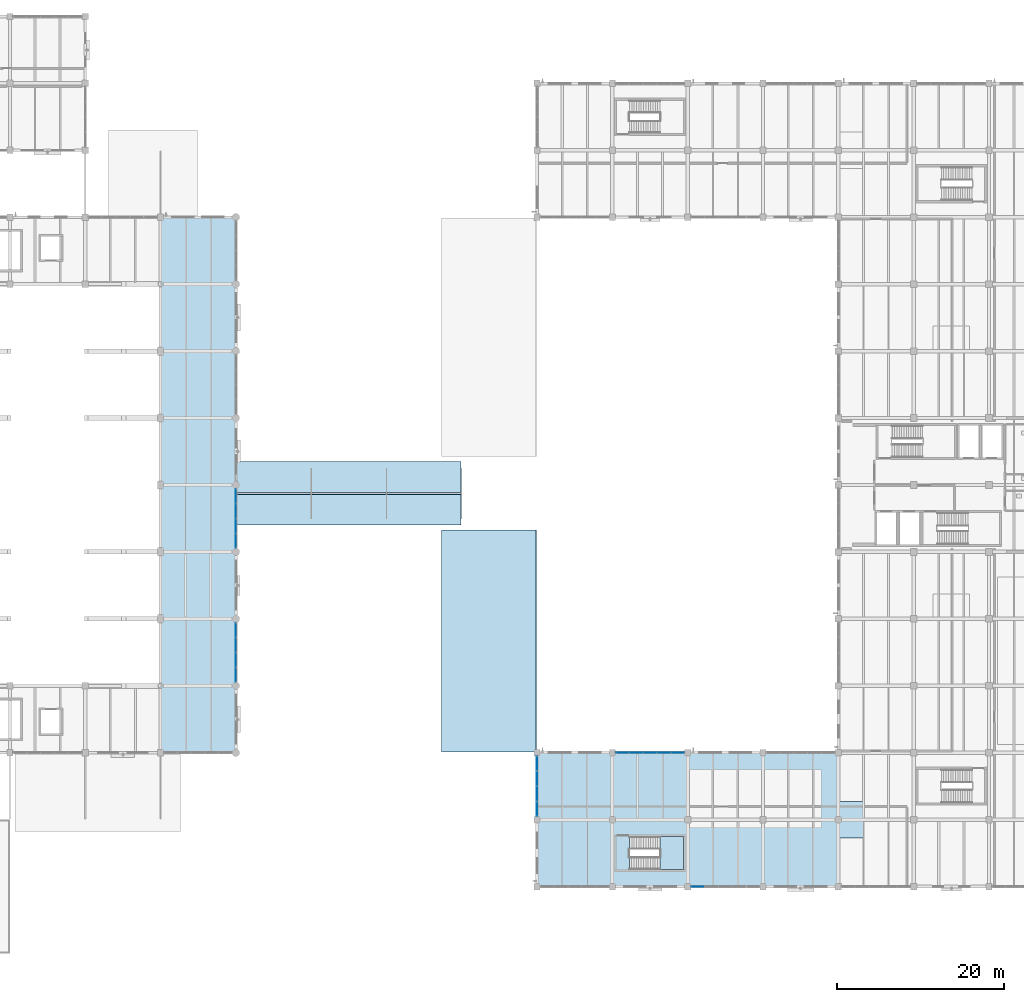
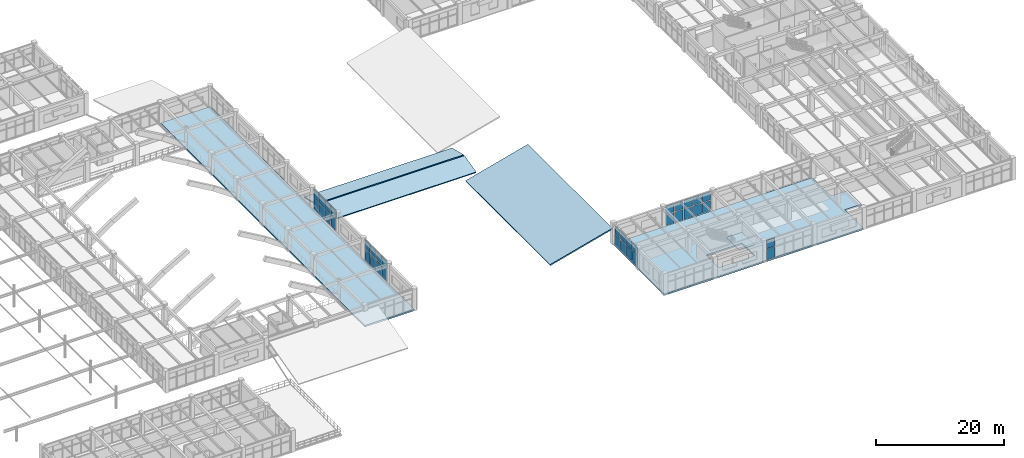
# One storey, part 117 of 148: 36 plates, 6 slabs, 8 elements without a shape of their own.
"""IFC4 building model written with IfcOpenShell, lengths in metres."""

from ifc_helpers import new_model, si_unit, derived_unit, direction, frame, origin, origin_2d, place, context, subcontext, project, spatial, polyline, rectangle, outline, extrude, material, layer, layer_set, type_object, element, aggregate, save


model = new_model("IFC4")

# Units and contexts
model_context = context("Model", 3, precision=1e-05, world=origin(), true_north=direction((0.0, 1.0)))
body_context = subcontext(model_context, "Body", "Model", "MODEL_VIEW")
ifc_project = project(units=[si_unit("LENGTHUNIT", "METRE"), si_unit("AREAUNIT", "SQUARE_METRE"), si_unit("VOLUMEUNIT", "CUBIC_METRE"), si_unit("PLANEANGLEUNIT", "RADIAN"), si_unit("MASSUNIT", "GRAM", prefix="KILO"), derived_unit("THERMALTRANSMITTANCEUNIT", [(si_unit("MASSUNIT", "GRAM", prefix="KILO"), 1), (si_unit("TIMEUNIT", "SECOND"), -3), (si_unit("THERMODYNAMICTEMPERATUREUNIT", "KELVIN"), -1)])], contexts=[model_context])

# Site, building, storey
site_placement = place(None, origin())
site = spatial("IfcSite", under=ifc_project, at=site_placement, CompositionType="ELEMENT")
building_placement = place(site_placement, origin())
building = spatial("IfcBuilding", under=site, at=building_placement, Name="Zhenchuan Archway Interchange", CompositionType="ELEMENT")
storey_placement = place(building_placement, frame((0.0, 0.0, 10.199951171875)))
storey = spatial("IfcBuildingStorey", under=building, at=storey_placement, Name="L02", CompositionType="ELEMENT", Elevation=10.199951171875)

# Curtain wall, plate
ifc_material_1 = material(Name="Anodised Aluminium", Category="aluminium")
curtain_wall_type_1 = type_object("IfcCurtainWallType", Name="CW_UNIT_3", PredefinedType="NOTDEFINED", material=ifc_material_1)
curtain_wall_1_placement = place(storey_placement, origin())
curtain_wall_1 = element("IfcCurtainWall", 1, at=curtain_wall_1_placement, inside=storey, type_object=curtain_wall_type_1, Name="Unitised curtain wall CW:L02:158", PredefinedType="NOTDEFINED")
ifc_material_2 = material(Name="Double Low-E Insulated Glazing", Category="glass")
ifc_layer_1 = layer(ifc_material_2, 0.028076171875)
ifc_layer_set_1 = layer_set([ifc_layer_1], Name="Double Low-E Insulated Glazing")
plate_type_1 = type_object("IfcPlateType", Name="CW_GLZ_1", PredefinedType="CURTAIN_PANEL", material=ifc_layer_set_1)
plate_1_placement = place(storey_placement, frame((127.184326171875, 8.0, 0.080078125), z_axis=(0.0, 0.0, 1.0), x_axis=(-1.0, 0.0, 0.0)))
plate_1 = element("IfcPlate", 2, at=plate_1_placement, type_object=plate_type_1, Name="CW:L02:158 lower glazing panel 4", PredefinedType="CURTAIN_PANEL", context=body_context, shape_type="SweptSolid", body=[
    extrude(rectangle(XDim=1.502685546875, YDim=0.028076171875, at=origin_2d()), origin(), (0.0, 0.0, 1.0), 2.0048828125),
])

# Curtain wall, plates
curtain_wall_type_2 = type_object("IfcCurtainWallType", Name="CW_UNIT_2", PredefinedType="NOTDEFINED", material=ifc_material_1)
curtain_wall_2_placement = place(storey_placement, origin())
curtain_wall_2 = element("IfcCurtainWall", 3, at=curtain_wall_2_placement, inside=storey, type_object=curtain_wall_type_2, Name="Unitised curtain wall CW:L02:161", PredefinedType="NOTDEFINED")
plate_2_placement = place(storey_placement, frame((118.184326171875, 24.0, 0.080078125), z_axis=(0.0, 0.0, 1.0), x_axis=(1.0, 0.0, 0.0)))
plate_2 = element("IfcPlate", 4, at=plate_2_placement, type_object=plate_type_1, Name="CW:L02:161 lower glazing panel 0", PredefinedType="CURTAIN_PANEL", context=body_context, shape_type="SweptSolid", body=[
    extrude(rectangle(XDim=1.502685546875, YDim=0.028076171875, at=origin_2d()), origin(), (0.0, 0.0, 1.0), 2.0048828125),
])
plate_3_placement = place(storey_placement, frame((119.837158203125, 24.0, 0.080078125), z_axis=(0.0, 0.0, 1.0), x_axis=(1.0, 0.0, 0.0)))
plate_3 = element("IfcPlate", 5, at=plate_3_placement, type_object=plate_type_1, Name="CW:L02:161 lower glazing panel 1", PredefinedType="CURTAIN_PANEL", context=body_context, shape_type="SweptSolid", body=[
    extrude(rectangle(XDim=1.522705078125, YDim=0.028076171875, at=origin_2d()), origin(), (0.0, 0.0, 1.0), 2.0048828125),
])
plate_4_placement = place(storey_placement, frame((121.5, 24.0, 0.080078125), z_axis=(0.0, 0.0, 1.0), x_axis=(1.0, 0.0, 0.0)))
plate_4 = element("IfcPlate", 6, at=plate_4_placement, type_object=plate_type_1, Name="CW:L02:161 lower glazing panel 2", PredefinedType="CURTAIN_PANEL", context=body_context, shape_type="SweptSolid", body=[
    extrude(rectangle(XDim=1.522705078125, YDim=0.028076171875, at=origin_2d()), origin(), (0.0, 0.0, 1.0), 2.0048828125),
])
plate_5_placement = place(storey_placement, frame((123.162841796875, 24.0, 0.080078125), z_axis=(0.0, 0.0, 1.0), x_axis=(1.0, 0.0, 0.0)))
plate_5 = element("IfcPlate", 7, at=plate_5_placement, type_object=plate_type_1, Name="CW:L02:161 lower glazing panel 3", PredefinedType="CURTAIN_PANEL", context=body_context, shape_type="SweptSolid", body=[
    extrude(rectangle(XDim=1.522705078125, YDim=0.028076171875, at=origin_2d()), origin(), (0.0, 0.0, 1.0), 2.0048828125),
])
plate_6_placement = place(storey_placement, frame((124.815673828125, 24.0, 0.080078125), z_axis=(0.0, 0.0, 1.0), x_axis=(1.0, 0.0, 0.0)))
plate_6 = element("IfcPlate", 8, at=plate_6_placement, type_object=plate_type_1, Name="CW:L02:161 lower glazing panel 4", PredefinedType="CURTAIN_PANEL", context=body_context, shape_type="SweptSolid", body=[
    extrude(rectangle(XDim=1.502685546875, YDim=0.028076171875, at=origin_2d()), origin(), (0.0, 0.0, 1.0), 2.0048828125),
])

# Plate
ifc_layer_2 = layer(ifc_material_2, 0.02587890625)
ifc_layer_set_2 = layer_set([ifc_layer_2], Name="Double Low-E Insulated Glazing")
plate_type_2 = type_object("IfcPlateType", Name="CW_GLZ_2", PredefinedType="CURTAIN_PANEL", material=ifc_layer_set_2)
plate_7_placement = place(storey_placement, frame((127.184326171875, 8.0, 2.205078125), z_axis=(0.0, 0.0, 1.0), x_axis=(-1.0, 0.0, 0.0)))
plate_7 = element("IfcPlate", 9, at=plate_7_placement, type_object=plate_type_2, Name="CW:L02:158 upper glazing panel 4", PredefinedType="CURTAIN_PANEL", context=body_context, shape_type="SweptSolid", body=[
    extrude(rectangle(XDim=1.502685546875, YDim=0.02587890625, at=origin_2d()), origin(), (0.0, 0.0, 1.0), 1.614990234375),
])

aggregate(curtain_wall_1, [plate_1, plate_7])

plate_8_placement = place(storey_placement, frame((118.184326171875, 24.0, 2.205078125), z_axis=(0.0, 0.0, 1.0), x_axis=(1.0, 0.0, 0.0)))
plate_8 = element("IfcPlate", 10, at=plate_8_placement, type_object=plate_type_2, Name="CW:L02:161 upper glazing panel 0", PredefinedType="CURTAIN_PANEL", context=body_context, shape_type="SweptSolid", body=[
    extrude(rectangle(XDim=1.502685546875, YDim=0.02587890625, at=origin_2d()), origin(), (0.0, 0.0, 1.0), 1.614990234375),
])

plate_9_placement = place(storey_placement, frame((119.837158203125, 24.0, 2.205078125), z_axis=(0.0, 0.0, 1.0), x_axis=(1.0, 0.0, 0.0)))
plate_9 = element("IfcPlate", 11, at=plate_9_placement, type_object=plate_type_2, Name="CW:L02:161 upper glazing panel 1", PredefinedType="CURTAIN_PANEL", context=body_context, shape_type="SweptSolid", body=[
    extrude(rectangle(XDim=1.522705078125, YDim=0.02587890625, at=origin_2d()), origin(), (0.0, 0.0, 1.0), 1.614990234375),
])

plate_10_placement = place(storey_placement, frame((121.5, 24.0, 2.205078125), z_axis=(0.0, 0.0, 1.0), x_axis=(1.0, 0.0, 0.0)))
plate_10 = element("IfcPlate", 12, at=plate_10_placement, type_object=plate_type_2, Name="CW:L02:161 upper glazing panel 2", PredefinedType="CURTAIN_PANEL", context=body_context, shape_type="SweptSolid", body=[
    extrude(rectangle(XDim=1.522705078125, YDim=0.02587890625, at=origin_2d()), origin(), (0.0, 0.0, 1.0), 1.614990234375),
])

plate_11_placement = place(storey_placement, frame((123.162841796875, 24.0, 2.205078125), z_axis=(0.0, 0.0, 1.0), x_axis=(1.0, 0.0, 0.0)))
plate_11 = element("IfcPlate", 13, at=plate_11_placement, type_object=plate_type_2, Name="CW:L02:161 upper glazing panel 3", PredefinedType="CURTAIN_PANEL", context=body_context, shape_type="SweptSolid", body=[
    extrude(rectangle(XDim=1.522705078125, YDim=0.02587890625, at=origin_2d()), origin(), (0.0, 0.0, 1.0), 1.614990234375),
])

plate_12_placement = place(storey_placement, frame((124.815673828125, 24.0, 2.205078125), z_axis=(0.0, 0.0, 1.0), x_axis=(1.0, 0.0, 0.0)))
plate_12 = element("IfcPlate", 14, at=plate_12_placement, type_object=plate_type_2, Name="CW:L02:161 upper glazing panel 4", PredefinedType="CURTAIN_PANEL", context=body_context, shape_type="SweptSolid", body=[
    extrude(rectangle(XDim=1.502685546875, YDim=0.02587890625, at=origin_2d()), origin(), (0.0, 0.0, 1.0), 1.614990234375),
])

aggregate(curtain_wall_2, [plate_2, plate_8, plate_3, plate_9, plate_4, plate_10, plate_5, plate_11, plate_6, plate_12])

# Curtain wall, plates
curtain_wall_3_placement = place(storey_placement, origin())
curtain_wall_3 = element("IfcCurtainWall", 15, at=curtain_wall_3_placement, inside=storey, type_object=curtain_wall_type_2, Name="Unitised curtain wall CW:L02:121", PredefinedType="NOTDEFINED")
ifc_layer_3 = layer(ifc_material_2, 0.030029296875)
ifc_layer_set_3 = layer_set([ifc_layer_3], Name="Double Low-E Insulated Glazing")
plate_type_3 = type_object("IfcPlateType", Name="CW_GLZ_3", PredefinedType="CURTAIN_PANEL", material=ifc_layer_set_3)
plate_13_placement = place(storey_placement, frame((72.0, 54.67724609375, 0.080078125), z_axis=(0.0, 0.0, 1.0), x_axis=(0.0, -1.0, 0.0)))
plate_13 = element("IfcPlate", 16, at=plate_13_placement, type_object=plate_type_3, Name="CW:L02:121 lower glazing panel 0", PredefinedType="CURTAIN_PANEL", context=body_context, shape_type="SweptSolid", body=[
    extrude(rectangle(XDim=1.631591796875, YDim=0.028076171875, at=origin_2d()), origin(), (0.0, 0.0, 1.0), 2.1259765625),
])
plate_14_placement = place(storey_placement, frame((72.0, 52.895751953125, 0.080078125), z_axis=(0.0, 0.0, 1.0), x_axis=(0.0, -1.0, 0.0)))
plate_14 = element("IfcPlate", 17, at=plate_14_placement, type_object=plate_type_3, Name="CW:L02:121 lower glazing panel 1", PredefinedType="CURTAIN_PANEL", context=body_context, shape_type="SweptSolid", body=[
    extrude(rectangle(XDim=1.651611328125, YDim=0.028076171875, at=origin_2d()), origin(), (0.0, 0.0, 1.0), 2.1259765625),
])
plate_15_placement = place(storey_placement, frame((72.0, 51.104248046875, 0.080078125), z_axis=(0.0, 0.0, 1.0), x_axis=(0.0, -1.0, 0.0)))
plate_15 = element("IfcPlate", 18, at=plate_15_placement, type_object=plate_type_3, Name="CW:L02:121 lower glazing panel 2", PredefinedType="CURTAIN_PANEL", context=body_context, shape_type="SweptSolid", body=[
    extrude(rectangle(XDim=1.651611328125, YDim=0.028076171875, at=origin_2d()), origin(), (0.0, 0.0, 1.0), 2.1259765625),
])
plate_16_placement = place(storey_placement, frame((72.0, 49.32275390625, 0.080078125), z_axis=(0.0, 0.0, 1.0), x_axis=(0.0, -1.0, 0.0)))
plate_16 = element("IfcPlate", 19, at=plate_16_placement, type_object=plate_type_3, Name="CW:L02:121 lower glazing panel 3", PredefinedType="CURTAIN_PANEL", context=body_context, shape_type="SweptSolid", body=[
    extrude(rectangle(XDim=1.631591796875, YDim=0.028076171875, at=origin_2d()), origin(), (0.0, 0.0, 1.0), 2.1259765625),
])

curtain_wall_4_placement = place(storey_placement, origin())
curtain_wall_4 = element("IfcCurtainWall", 20, at=curtain_wall_4_placement, inside=storey, type_object=curtain_wall_type_1, Name="Unitised curtain wall CW:L02:122", PredefinedType="NOTDEFINED")
plate_17_placement = place(storey_placement, frame((72.0, 38.67724609375, 0.080078125), z_axis=(0.0, 0.0, 1.0), x_axis=(0.0, -1.0, 0.0)))
plate_17 = element("IfcPlate", 21, at=plate_17_placement, type_object=plate_type_3, Name="CW:L02:122 lower glazing panel 0", PredefinedType="CURTAIN_PANEL", context=body_context, shape_type="SweptSolid", body=[
    extrude(rectangle(XDim=1.631591796875, YDim=0.028076171875, at=origin_2d()), origin(), (0.0, 0.0, 1.0), 2.1259765625),
])
plate_18_placement = place(storey_placement, frame((72.0, 36.895751953125, 0.080078125), z_axis=(0.0, 0.0, 1.0), x_axis=(0.0, -1.0, 0.0)))
plate_18 = element("IfcPlate", 22, at=plate_18_placement, type_object=plate_type_3, Name="CW:L02:122 lower glazing panel 1", PredefinedType="CURTAIN_PANEL", context=body_context, shape_type="SweptSolid", body=[
    extrude(rectangle(XDim=1.651611328125, YDim=0.028076171875, at=origin_2d()), origin(), (0.0, 0.0, 1.0), 2.1259765625),
])
plate_19_placement = place(storey_placement, frame((72.0, 35.104248046875, 0.080078125), z_axis=(0.0, 0.0, 1.0), x_axis=(0.0, -1.0, 0.0)))
plate_19 = element("IfcPlate", 23, at=plate_19_placement, type_object=plate_type_3, Name="CW:L02:122 lower glazing panel 2", PredefinedType="CURTAIN_PANEL", context=body_context, shape_type="SweptSolid", body=[
    extrude(rectangle(XDim=1.651611328125, YDim=0.028076171875, at=origin_2d()), origin(), (0.0, 0.0, 1.0), 2.1259765625),
])
plate_20_placement = place(storey_placement, frame((72.0, 33.32275390625, 0.080078125), z_axis=(0.0, 0.0, 1.0), x_axis=(0.0, -1.0, 0.0)))
plate_20 = element("IfcPlate", 24, at=plate_20_placement, type_object=plate_type_3, Name="CW:L02:122 lower glazing panel 3", PredefinedType="CURTAIN_PANEL", context=body_context, shape_type="SweptSolid", body=[
    extrude(rectangle(XDim=1.631591796875, YDim=0.028076171875, at=origin_2d()), origin(), (0.0, 0.0, 1.0), 2.1259765625),
])

curtain_wall_type_3 = type_object("IfcCurtainWallType", Name="CW_UNIT_1", PredefinedType="NOTDEFINED", material=ifc_material_1)
curtain_wall_5_placement = place(storey_placement, origin())
curtain_wall_5 = element("IfcCurtainWall", 25, at=curtain_wall_5_placement, inside=storey, type_object=curtain_wall_type_3, Name="Unitised curtain wall CW:L02:160", PredefinedType="NOTDEFINED")
plate_21_placement = place(storey_placement, frame((108.0, 17.267333984375, 0.080078125), z_axis=(0.0, 0.0, 1.0), x_axis=(0.0, 1.0, 0.0)))
plate_21 = element("IfcPlate", 26, at=plate_21_placement, type_object=plate_type_3, Name="CW:L02:160 lower glazing panel 0", PredefinedType="CURTAIN_PANEL", context=body_context, shape_type="SweptSolid", body=[
    extrude(rectangle(XDim=1.66845703125, YDim=0.028076171875, at=origin_2d()), origin(), (0.0, 0.0, 1.0), 2.0048828125),
])
plate_22_placement = place(storey_placement, frame((108.0, 19.085693359375, 0.080078125), z_axis=(0.0, 0.0, 1.0), x_axis=(0.0, 1.0, 0.0)))
plate_22 = element("IfcPlate", 27, at=plate_22_placement, type_object=plate_type_3, Name="CW:L02:160 lower glazing panel 1", PredefinedType="CURTAIN_PANEL", context=body_context, shape_type="SweptSolid", body=[
    extrude(rectangle(XDim=1.6884765625, YDim=0.028076171875, at=origin_2d()), origin(), (0.0, 0.0, 1.0), 2.0048828125),
])
plate_23_placement = place(storey_placement, frame((108.0, 20.914306640625, 0.080078125), z_axis=(0.0, 0.0, 1.0), x_axis=(0.0, 1.0, 0.0)))
plate_23 = element("IfcPlate", 28, at=plate_23_placement, type_object=plate_type_3, Name="CW:L02:160 lower glazing panel 2", PredefinedType="CURTAIN_PANEL", context=body_context, shape_type="SweptSolid", body=[
    extrude(rectangle(XDim=1.6884765625, YDim=0.028076171875, at=origin_2d()), origin(), (0.0, 0.0, 1.0), 2.0048828125),
])
plate_24_placement = place(storey_placement, frame((108.0, 22.732666015625, 0.080078125), z_axis=(0.0, 0.0, 1.0), x_axis=(0.0, 1.0, 0.0)))
plate_24 = element("IfcPlate", 29, at=plate_24_placement, type_object=plate_type_3, Name="CW:L02:160 lower glazing panel 3", PredefinedType="CURTAIN_PANEL", context=body_context, shape_type="SweptSolid", body=[
    extrude(rectangle(XDim=1.66845703125, YDim=0.028076171875, at=origin_2d()), origin(), (0.0, 0.0, 1.0), 2.0048828125),
])

# Plate
ifc_layer_4 = layer(ifc_material_2, 0.02392578125)
ifc_layer_set_4 = layer_set([ifc_layer_4], Name="Double Low-E Insulated Glazing")
plate_type_4 = type_object("IfcPlateType", Name="CW_GLZ_4", PredefinedType="CURTAIN_PANEL", material=ifc_layer_set_4)
plate_25_placement = place(storey_placement, frame((72.0, 54.67724609375, 2.326171875), z_axis=(0.0, 0.0, 1.0), x_axis=(0.0, -1.0, 0.0)))
plate_25 = element("IfcPlate", 30, at=plate_25_placement, type_object=plate_type_4, Name="CW:L02:121 upper glazing panel 0", PredefinedType="CURTAIN_PANEL", context=body_context, shape_type="SweptSolid", body=[
    extrude(rectangle(XDim=1.631591796875, YDim=0.02587890625, at=origin_2d()), origin(), (0.0, 0.0, 1.0), 1.714111328125),
])

plate_26_placement = place(storey_placement, frame((72.0, 52.895751953125, 2.326171875), z_axis=(0.0, 0.0, 1.0), x_axis=(0.0, -1.0, 0.0)))
plate_26 = element("IfcPlate", 31, at=plate_26_placement, type_object=plate_type_4, Name="CW:L02:121 upper glazing panel 1", PredefinedType="CURTAIN_PANEL", context=body_context, shape_type="SweptSolid", body=[
    extrude(rectangle(XDim=1.651611328125, YDim=0.02587890625, at=origin_2d()), origin(), (0.0, 0.0, 1.0), 1.714111328125),
])

plate_27_placement = place(storey_placement, frame((72.0, 51.104248046875, 2.326171875), z_axis=(0.0, 0.0, 1.0), x_axis=(0.0, -1.0, 0.0)))
plate_27 = element("IfcPlate", 32, at=plate_27_placement, type_object=plate_type_4, Name="CW:L02:121 upper glazing panel 2", PredefinedType="CURTAIN_PANEL", context=body_context, shape_type="SweptSolid", body=[
    extrude(rectangle(XDim=1.651611328125, YDim=0.02587890625, at=origin_2d()), origin(), (0.0, 0.0, 1.0), 1.714111328125),
])

plate_28_placement = place(storey_placement, frame((72.0, 49.32275390625, 2.326171875), z_axis=(0.0, 0.0, 1.0), x_axis=(0.0, -1.0, 0.0)))
plate_28 = element("IfcPlate", 33, at=plate_28_placement, type_object=plate_type_4, Name="CW:L02:121 upper glazing panel 3", PredefinedType="CURTAIN_PANEL", context=body_context, shape_type="SweptSolid", body=[
    extrude(rectangle(XDim=1.631591796875, YDim=0.02587890625, at=origin_2d()), origin(), (0.0, 0.0, 1.0), 1.714111328125),
])

aggregate(curtain_wall_3, [plate_13, plate_25, plate_14, plate_26, plate_15, plate_27, plate_16, plate_28])

plate_29_placement = place(storey_placement, frame((72.0, 38.67724609375, 2.326171875), z_axis=(0.0, 0.0, 1.0), x_axis=(0.0, -1.0, 0.0)))
plate_29 = element("IfcPlate", 34, at=plate_29_placement, type_object=plate_type_4, Name="CW:L02:122 upper glazing panel 0", PredefinedType="CURTAIN_PANEL", context=body_context, shape_type="SweptSolid", body=[
    extrude(rectangle(XDim=1.631591796875, YDim=0.02587890625, at=origin_2d()), origin(), (0.0, 0.0, 1.0), 1.714111328125),
])

plate_30_placement = place(storey_placement, frame((72.0, 36.895751953125, 2.326171875), z_axis=(0.0, 0.0, 1.0), x_axis=(0.0, -1.0, 0.0)))
plate_30 = element("IfcPlate", 35, at=plate_30_placement, type_object=plate_type_4, Name="CW:L02:122 upper glazing panel 1", PredefinedType="CURTAIN_PANEL", context=body_context, shape_type="SweptSolid", body=[
    extrude(rectangle(XDim=1.651611328125, YDim=0.02587890625, at=origin_2d()), origin(), (0.0, 0.0, 1.0), 1.714111328125),
])

plate_31_placement = place(storey_placement, frame((72.0, 35.104248046875, 2.326171875), z_axis=(0.0, 0.0, 1.0), x_axis=(0.0, -1.0, 0.0)))
plate_31 = element("IfcPlate", 36, at=plate_31_placement, type_object=plate_type_4, Name="CW:L02:122 upper glazing panel 2", PredefinedType="CURTAIN_PANEL", context=body_context, shape_type="SweptSolid", body=[
    extrude(rectangle(XDim=1.651611328125, YDim=0.02587890625, at=origin_2d()), origin(), (0.0, 0.0, 1.0), 1.714111328125),
])

plate_32_placement = place(storey_placement, frame((72.0, 33.32275390625, 2.326171875), z_axis=(0.0, 0.0, 1.0), x_axis=(0.0, -1.0, 0.0)))
plate_32 = element("IfcPlate", 37, at=plate_32_placement, type_object=plate_type_4, Name="CW:L02:122 upper glazing panel 3", PredefinedType="CURTAIN_PANEL", context=body_context, shape_type="SweptSolid", body=[
    extrude(rectangle(XDim=1.631591796875, YDim=0.02587890625, at=origin_2d()), origin(), (0.0, 0.0, 1.0), 1.714111328125),
])

aggregate(curtain_wall_4, [plate_17, plate_29, plate_18, plate_30, plate_19, plate_31, plate_20, plate_32])

plate_33_placement = place(storey_placement, frame((108.0, 17.267333984375, 2.205078125), z_axis=(0.0, 0.0, 1.0), x_axis=(0.0, 1.0, 0.0)))
plate_33 = element("IfcPlate", 38, at=plate_33_placement, type_object=plate_type_4, Name="CW:L02:160 upper glazing panel 0", PredefinedType="CURTAIN_PANEL", context=body_context, shape_type="SweptSolid", body=[
    extrude(rectangle(XDim=1.66845703125, YDim=0.02587890625, at=origin_2d()), origin(), (0.0, 0.0, 1.0), 1.614990234375),
])

plate_34_placement = place(storey_placement, frame((108.0, 19.085693359375, 2.205078125), z_axis=(0.0, 0.0, 1.0), x_axis=(0.0, 1.0, 0.0)))
plate_34 = element("IfcPlate", 39, at=plate_34_placement, type_object=plate_type_4, Name="CW:L02:160 upper glazing panel 1", PredefinedType="CURTAIN_PANEL", context=body_context, shape_type="SweptSolid", body=[
    extrude(rectangle(XDim=1.6884765625, YDim=0.02587890625, at=origin_2d()), origin(), (0.0, 0.0, 1.0), 1.614990234375),
])

plate_35_placement = place(storey_placement, frame((108.0, 20.914306640625, 2.205078125), z_axis=(0.0, 0.0, 1.0), x_axis=(0.0, 1.0, 0.0)))
plate_35 = element("IfcPlate", 40, at=plate_35_placement, type_object=plate_type_4, Name="CW:L02:160 upper glazing panel 2", PredefinedType="CURTAIN_PANEL", context=body_context, shape_type="SweptSolid", body=[
    extrude(rectangle(XDim=1.6884765625, YDim=0.02587890625, at=origin_2d()), origin(), (0.0, 0.0, 1.0), 1.614990234375),
])

plate_36_placement = place(storey_placement, frame((108.0, 22.732666015625, 2.205078125), z_axis=(0.0, 0.0, 1.0), x_axis=(0.0, 1.0, 0.0)))
plate_36 = element("IfcPlate", 41, at=plate_36_placement, type_object=plate_type_4, Name="CW:L02:160 upper glazing panel 3", PredefinedType="CURTAIN_PANEL", context=body_context, shape_type="SweptSolid", body=[
    extrude(rectangle(XDim=1.66845703125, YDim=0.02587890625, at=origin_2d()), origin(), (0.0, 0.0, 1.0), 1.614990234375),
])

aggregate(curtain_wall_5, [plate_21, plate_33, plate_22, plate_34, plate_23, plate_35, plate_24, plate_36])

# Roof, slabs
ifc_material_3 = material(Name="Concrete C35", Category="concrete")
roof_type = type_object("IfcRoofType", Name="ROOF_LINGNAN_STORM", PredefinedType="GABLE_ROOF", material=ifc_material_3)
roof_1_placement = place(storey_placement, origin())
roof_1 = element("IfcRoof", 42, at=roof_1_placement, inside=storey, type_object=roof_type, Name="Pedestrian Transfer Footbridge glazed pitched roof", PredefinedType="GABLE_ROOF")
ifc_layer_5 = layer(ifc_material_3, 0.219970703125)
ifc_layer_set_5 = layer_set([ifc_layer_5], Name="Concrete C35")
slab_type_1 = type_object("IfcSlabType", Name="SLB_CANOPY_220", PredefinedType="ROOF", material=ifc_layer_set_5)
slab_1_placement = place(storey_placement, frame((72.1201171875, 51.199951171875, 0.35009765625), z_axis=(0.0, -0.242520480728, 0.970146286097), x_axis=(1.0, 0.0, 0.0)))
slab_1 = element("IfcSlab", 43, at=slab_1_placement, type_object=slab_type_1, Name="Pedestrian footbridge south pitched roof slope", PredefinedType="ROOF", context=body_context, shape_type="SweptSolid", body=[
    extrude(outline(polyline([(0.0, 0.0), (26.759765625, 0.0), (26.759765625, 3.7931719095997374), (0.0, 3.7931719095997374), (0.0, 0.0)])), origin(), (0.0, 0.0, -1.0), 0.219970703125),
])
slab_2_placement = place(storey_placement, frame((72.1201171875, 55.1201171875, 1.27001953125), z_axis=(0.0, 0.242520480728, 0.970146286097), x_axis=(1.0, 0.0, 0.0)))
slab_2 = element("IfcSlab", 44, at=slab_2_placement, type_object=slab_type_1, Name="Pedestrian footbridge north pitched roof slope", PredefinedType="ROOF", context=body_context, shape_type="SweptSolid", body=[
    extrude(outline(polyline([(0.0, 0.0), (26.759765625, 0.0), (26.759765625, 3.7931719095997374), (0.0, 3.7931719095997374), (0.0, 0.0)])), origin(), (0.0, 0.0, -1.0), 0.219970703125),
])
aggregate(roof_1, [slab_1, slab_2])

# Slabs
ifc_layer_6 = layer(ifc_material_3, 0.2900390625)
ifc_layer_set_6 = layer_set([ifc_layer_6], Name="Concrete C35")
slab_type_2 = type_object("IfcSlabType", Name="SLB_FLR_290", PredefinedType="FLOOR", material=ifc_layer_set_6)
slab_3_placement = place(storey_placement, frame((0.0, 0.0, -0.2900390625)))
element("IfcSlab", 45, at=slab_3_placement, inside=storey, type_object=slab_type_2, Name="Structural slab L02 CH-E", PredefinedType="FLOOR", context=body_context, shape_type="SweptSolid", body=[
    extrude(outline(polyline([(63.0, 88.0), (72.0, 88.0), (72.0, 24.0), (63.0, 24.0), (63.0, 88.0)])), origin(), (0.0, 0.0, 1.0), 0.2900390625),
])
slab_4_placement = place(storey_placement, frame((0.0, 0.0, -0.2900390625)))
element("IfcSlab", 46, at=slab_4_placement, inside=storey, type_object=slab_type_2, Name="Structural slab L02 OPS-S", PredefinedType="FLOOR", context=body_context, shape_type="SweptSolid", body=[
    extrude(outline(polyline([(108.0, 8.0), (108.0, 24.0), (144.0, 24.0), (144.0, 18.197998046875), (146.998046875, 18.197998046875), (146.998046875, 13.802001953125), (144.0, 13.802001953125), (144.0, 8.0), (108.0, 8.0)]), holes=[polyline([(125.4951171875, 10.02490234375), (125.4951171875, 13.97509765625), (119.02490234375, 13.97509765625), (119.02490234375, 10.02490234375), (125.4951171875, 10.02490234375)])]), origin(), (0.0, 0.0, 1.0), 0.2900390625),
])

# Stair, slab
stair_type = type_object("IfcStairType", Name="STR_HALF_1450", PredefinedType="HALF_TURN_STAIR", material=ifc_material_3)
stair_placement = place(storey_placement, origin())
stair = element("IfcStair", 47, at=stair_placement, inside=storey, type_object=stair_type, Name="Stair ST-O5 (L02)", PredefinedType="HALF_TURN_STAIR")
ifc_layer_7 = layer(ifc_material_3, 0.199951171875)
ifc_layer_set_7 = layer_set([ifc_layer_7], Name="Concrete C35")
slab_type_3 = type_object("IfcSlabType", Name="SLB_LANDING_200", PredefinedType="LANDING", material=ifc_layer_set_7)
slab_5_placement = place(storey_placement, frame((0.0, 0.0, 1.900146484375)))
slab_5 = element("IfcSlab", 48, at=slab_5_placement, type_object=slab_type_3, Name="Stair ST-O5 half-landing (L02)", PredefinedType="LANDING", context=body_context, shape_type="SweptSolid", body=[
    extrude(outline(polyline([(122.68505859375, 10.02294921875), (125.4970703125, 10.02294921875), (125.4970703125, 13.97705078125), (122.68505859375, 13.97705078125), (122.68505859375, 10.02294921875)])), origin(), (0.0, 0.0, 1.0), 0.199951171875),
])
aggregate(stair, [slab_5])

# Roof, slab
roof_2_placement = place(storey_placement, origin())
roof_2 = element("IfcRoof", 49, at=roof_2_placement, inside=storey, type_object=roof_type, Name="Courtyard cloister Lingnan pitched roof", PredefinedType="GABLE_ROOF")
ifc_layer_8 = layer(ifc_material_3, 0.239990234375)
ifc_layer_set_8 = layer_set([ifc_layer_8], Name="Concrete C35")
slab_type_4 = type_object("IfcSlabType", Name="SLB_ROOF_240", PredefinedType="ROOF", material=ifc_layer_set_8)
slab_6_placement = place(storey_placement, frame((96.60009765625, 24.10009765625, -0.14306640625), z_axis=(-0.25880366271, 0.0, 0.965929947857), x_axis=(0.965929947857, 0.0, 0.25880366271)))
slab_6 = element("IfcSlab", 50, at=slab_6_placement, type_object=slab_type_4, Name="Courtyard west cloister S pitched Lingnan roof", PredefinedType="ROOF", context=body_context, shape_type="SweptSolid", body=[
    extrude(outline(polyline([(0.0, 0.0), (11.677643064354692, 0.0), (11.677643064354692, 26.5), (0.0, 26.5), (0.0, 0.0)])), origin(), (0.0, 0.0, -1.0), 0.239990234375),
])
aggregate(roof_2, [slab_6])

save(model, "model.ifc")
